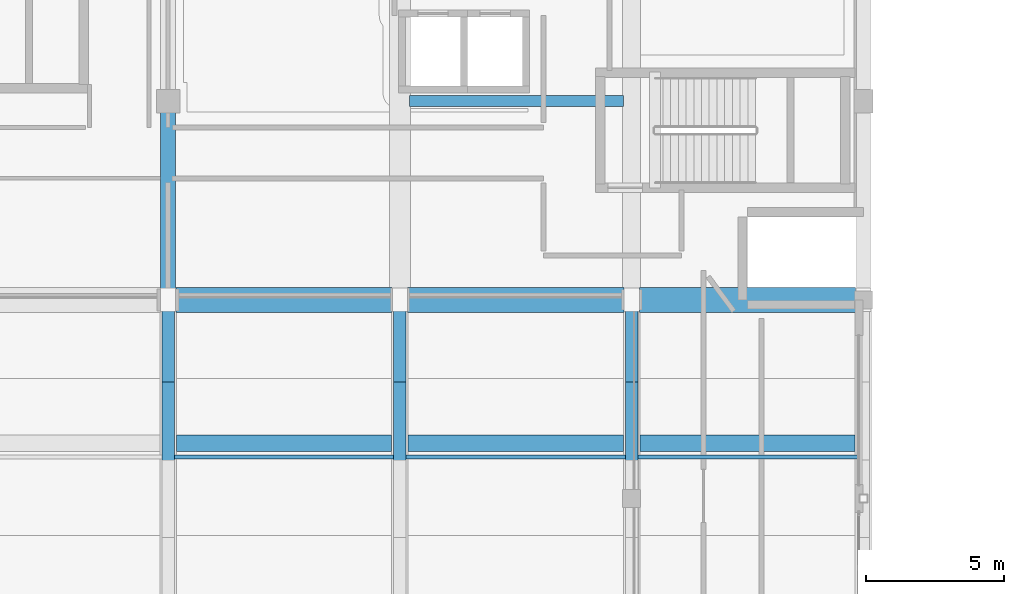
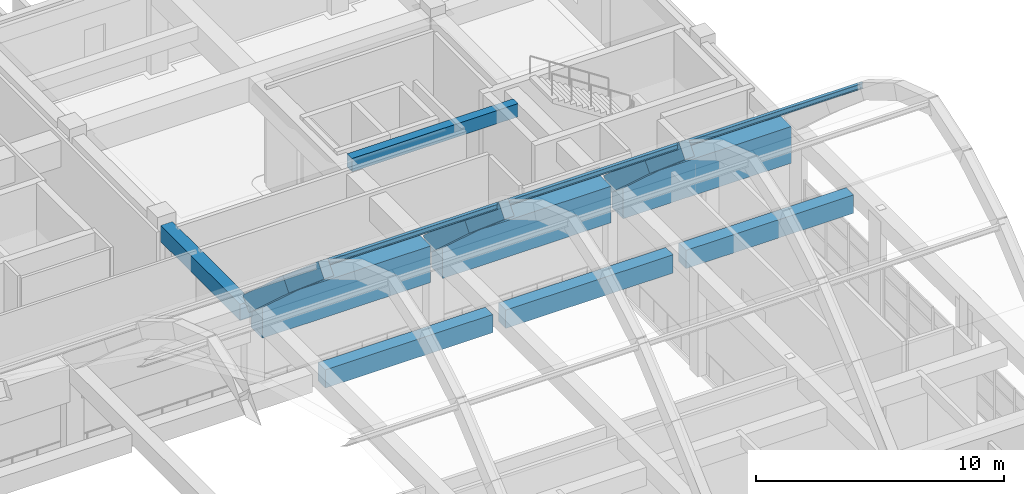
# One storey, part 54 of 103: 14 beams, 3 members.
"""IFC4 building model written with IfcOpenShell, lengths in metres."""

from ifc_helpers import new_model, si_unit, direction, frame, origin, origin_2d, place, context, subcontext, project, spatial, rectangle, i_section, extrude, material, material_profile, profile_set, type_object, element, save


model = new_model("IFC4")

# Units and contexts
model_context = context("Model", 3, precision=1e-05, world=origin(), true_north=direction((0.0, 1.0)))
body_context = subcontext(model_context, "Body", "Model", "MODEL_VIEW")
ifc_project = project(units=[si_unit("LENGTHUNIT", "METRE"), si_unit("AREAUNIT", "SQUARE_METRE"), si_unit("VOLUMEUNIT", "CUBIC_METRE"), si_unit("PLANEANGLEUNIT", "RADIAN"), si_unit("MASSUNIT", "GRAM", prefix="KILO")], contexts=[model_context])

# Site, building, storey
site_placement = place(None, origin())
site = spatial("IfcSite", under=ifc_project, at=site_placement, CompositionType="ELEMENT")
building_placement = place(site_placement, origin())
building = spatial("IfcBuilding", under=site, at=building_placement, Name="Quendrovan Civic Courthouse", CompositionType="ELEMENT")
storey_placement = place(building_placement, frame((0.0, 0.0, 15.300048828125)))
storey = spatial("IfcBuildingStorey", under=building, at=storey_placement, Name="L04", CompositionType="ELEMENT", Elevation=15.300048828125)

# Beams
ifc_material_1 = material(Name="Concrete C40/50", Category="concrete")
ifc_material_profile_1 = material_profile(ifc_material_1, rectangle(XDim=0.39990234375, YDim=0.64990234375, at=origin_2d()), Name="RC-BM-400x650")
ifc_profile_set_1 = profile_set([ifc_material_profile_1], Name="Concrete C40/50")
beam_type_1 = type_object("IfcBeamType", Name="BM-RC650", PredefinedType="JOIST", material=ifc_profile_set_1)
beam_1_placement = place(storey_placement, frame((75.955078125, 94.800048828125, 4.3349609375), z_axis=(1.0, 0.0, 0.0), x_axis=(0.0, 1.0, 0.0)))
element("IfcBeam", 1, at=beam_1_placement, inside=storey, type_object=beam_type_1, Name="L04 Secondary Joist 1000", PredefinedType="JOIST", context=body_context, shape_type="SweptSolid", body=[
    extrude(rectangle(XDim=0.39990234375, YDim=0.64990234375, at=origin_2d()), origin(), (0.0, 0.0, 1.0), 7.739990234375),
])
ifc_material_profile_2 = material_profile(ifc_material_1, rectangle(XDim=0.550048828125, YDim=0.800048828125, at=origin_2d()), Name="RC-BM-550x800")
ifc_profile_set_2 = profile_set([ifc_material_profile_2], Name="Concrete C40/50")
beam_type_2 = type_object("IfcBeamType", Name="BM-RC800", PredefinedType="BEAM", material=ifc_profile_set_2)
beam_2_placement = place(storey_placement, frame((67.199951171875, 87.97998046875, 4.260009765625), z_axis=(0.0, 1.0, 0.0), x_axis=(-1.0, 0.0, 0.0)))
element("IfcBeam", 2, at=beam_2_placement, inside=storey, type_object=beam_type_2, Name="L04 Girder Y0977", PredefinedType="BEAM", context=body_context, shape_type="SweptSolid", body=[
    extrude(rectangle(XDim=0.550048828125, YDim=0.800048828125, at=origin_2d()), origin(), (0.0, 0.0, 1.0), 6.4150390625),
])
ifc_material_profile_3 = material_profile(ifc_material_1, rectangle(XDim=0.60009765625, YDim=0.89990234375, at=origin_2d()), Name="RC-BM-600x900")
ifc_profile_set_3 = profile_set([ifc_material_profile_3], Name="Concrete C40/50")
beam_type_3 = type_object("IfcBeamType", Name="BM-RC900", PredefinedType="BEAM", material=ifc_profile_set_3)
for number, where, z_axis, x_axis, name in (
    (3, (67.5, 82.39990234375, 4.349853515625), (1.0, 0.0, 0.0), (0.0, 1.0, 0.0), "BV2 Eave Backspan Collector Beam N-B5"),
    (4, (75.89990234375, 82.39990234375, 4.349853515625), (1.0, 0.0, 0.0), (0.0, 1.0, 0.0), "BV2 Eave Backspan Collector Beam N-B6"),
    (5, (84.300048828125, 82.39990234375, 4.349853515625), (1.0, 0.0, 0.0), (0.0, 1.0, 0.0), "BV2 Eave Backspan Collector Beam N-B7"),
):
    element("IfcBeam", number, at=place(storey_placement, frame(where, z_axis=z_axis, x_axis=x_axis)), inside=storey, type_object=beam_type_3, Name=name, PredefinedType="BEAM", context=body_context, shape_type="SweptSolid", body=[
        extrude(rectangle(XDim=0.60009765625, YDim=0.89990234375, at=origin_2d()), origin(), (0.0, 0.0, 1.0), 7.800048828125),
    ])
ifc_material_2 = material(Name="Concrete C45/55", Category="concrete")
ifc_material_profile_4 = material_profile(ifc_material_2, rectangle(XDim=0.89990234375, YDim=1.800048828125, at=origin_2d()), Name="RC-TG-900x1800")
ifc_profile_set_4 = profile_set([ifc_material_profile_4], Name="Concrete C45/55")
beam_type_4 = type_object("IfcBeamType", Name="BM-TG1800", PredefinedType="BEAM", material=ifc_profile_set_4)
for number, where, z_axis, x_axis, name in (
    (6, (67.47998046875, 87.60009765625, 4.199951171875), (1.0, 0.0, 0.0), (0.0, 1.0, 0.0), "BV2 Springing Collector Girder N-5"),
    (7, (75.8798828125, 87.60009765625, 4.199951171875), (1.0, 0.0, 0.0), (0.0, 1.0, 0.0), "BV2 Springing Collector Girder N-6"),
    (8, (84.280029296875, 87.60009765625, 4.199951171875), (1.0, 0.0, 0.0), (0.0, 1.0, 0.0), "BV2 Springing Collector Girder N-7"),
):
    element("IfcBeam", number, at=place(storey_placement, frame(where, z_axis=z_axis, x_axis=x_axis)), inside=storey, type_object=beam_type_4, Name=name, PredefinedType="BEAM", context=body_context, shape_type="SweptSolid", body=[
        extrude(rectangle(XDim=0.89990234375, YDim=1.800048828125, at=origin_2d()), origin(), (0.0, 0.0, 1.0), 7.840087890625),
    ])
ifc_material_profile_5 = material_profile(ifc_material_1, rectangle(XDim=0.449951171875, YDim=0.75, at=origin_2d()), Name="RC-VRIB-450x750")
ifc_profile_set_5 = profile_set([ifc_material_profile_5], Name="Concrete C40/50")
beam_type_5 = type_object("IfcBeamType", Name="BM-VRIB750", PredefinedType="BEAM", material=ifc_profile_set_5)
beam_3_placement = place(storey_placement, frame((67.199951171875, 81.52783203125, 10.237548828125), z_axis=(0.0, 0.762419306116, -0.647083303495), x_axis=(-1.0, 0.0, 0.0)))
element("IfcBeam", 9, at=beam_3_placement, inside=storey, type_object=beam_type_5, Name="BV2 Concrete Vault Arch Rib A5-C7", PredefinedType="BEAM", context=body_context, shape_type="SweptSolid", body=[
    extrude(rectangle(XDim=0.449951171875, YDim=0.75, at=origin_2d()), origin(), (0.0, 0.0, 1.0), 3.73828125),
])
beam_4_placement = place(storey_placement, frame((67.199951171875, 84.3232421875, 7.87158203125), z_axis=(0.0, 0.740758632606, -0.671771276716), x_axis=(-1.0, 0.0, 0.0)))
element("IfcBeam", 10, at=beam_4_placement, inside=storey, type_object=beam_type_5, Name="BV2 Concrete Vault Arch Rib A5-C8", PredefinedType="BEAM", context=body_context, shape_type="SweptSolid", body=[
    extrude(rectangle(XDim=0.449951171875, YDim=0.75, at=origin_2d()), origin(), (0.0, 0.0, 1.0), 4.423583984375),
])
beam_5_placement = place(storey_placement, frame((75.60009765625, 81.52783203125, 10.237548828125), z_axis=(0.0, 0.762419306116, -0.647083303495), x_axis=(-1.0, 0.0, 0.0)))
element("IfcBeam", 11, at=beam_5_placement, inside=storey, type_object=beam_type_5, Name="BV2 Concrete Vault Arch Rib A6-C7", PredefinedType="BEAM", context=body_context, shape_type="SweptSolid", body=[
    extrude(rectangle(XDim=0.449951171875, YDim=0.75, at=origin_2d()), origin(), (0.0, 0.0, 1.0), 3.73828125),
])
beam_6_placement = place(storey_placement, frame((75.60009765625, 84.3232421875, 7.87158203125), z_axis=(0.0, 0.740758632606, -0.671771276716), x_axis=(-1.0, 0.0, 0.0)))
element("IfcBeam", 12, at=beam_6_placement, inside=storey, type_object=beam_type_5, Name="BV2 Concrete Vault Arch Rib A6-C8", PredefinedType="BEAM", context=body_context, shape_type="SweptSolid", body=[
    extrude(rectangle(XDim=0.449951171875, YDim=0.75, at=origin_2d()), origin(), (0.0, 0.0, 1.0), 4.423583984375),
])
beam_7_placement = place(storey_placement, frame((84.0, 81.52783203125, 10.237548828125), z_axis=(0.0, 0.762419306116, -0.647083303495), x_axis=(-1.0, 0.0, 0.0)))
element("IfcBeam", 13, at=beam_7_placement, inside=storey, type_object=beam_type_5, Name="BV2 Concrete Vault Arch Rib A7-C7", PredefinedType="BEAM", context=body_context, shape_type="SweptSolid", body=[
    extrude(rectangle(XDim=0.449951171875, YDim=0.75, at=origin_2d()), origin(), (0.0, 0.0, 1.0), 3.73828125),
])
beam_8_placement = place(storey_placement, frame((84.0, 84.3232421875, 7.87158203125), z_axis=(0.0, 0.740758632606, -0.671771276716), x_axis=(-1.0, 0.0, 0.0)))
element("IfcBeam", 14, at=beam_8_placement, inside=storey, type_object=beam_type_5, Name="BV2 Concrete Vault Arch Rib A7-C8", PredefinedType="BEAM", context=body_context, shape_type="SweptSolid", body=[
    extrude(rectangle(XDim=0.449951171875, YDim=0.75, at=origin_2d()), origin(), (0.0, 0.0, 1.0), 4.423583984375),
])

# Members
ifc_material_3 = material(Name="Steel ASTM A992 Grade 50", Category="steel")
ifc_material_profile_6 = material_profile(ifc_material_3, i_section(OverallWidth=0.14599609375, OverallDepth=0.258056640625, WebThickness=0.006103515625, FlangeThickness=0.009033203125, at=origin_2d()), Name="W250x33")
ifc_profile_set_6 = profile_set([ifc_material_profile_6], Name="Steel ASTM A992 Grade 50")
member_type = type_object("IfcMemberType", Name="MEM-PUR-W250", PredefinedType="PURLIN", material=ifc_profile_set_6)
member_placement = place(storey_placement, frame((67.199951171875, 81.89990234375, 10.23583984375), z_axis=(1.0, 0.0, 0.0), x_axis=(0.0, 1.0, 0.0)))
element("IfcMember", 15, at=member_placement, inside=storey, type_object=member_type, Name="BV2 Vault Longitudinal Purlin B5-3", PredefinedType="PURLIN", context=body_context, shape_type="SweptSolid", body=[
    extrude(i_section(OverallWidth=0.14599609375, OverallDepth=0.258056640625, WebThickness=0.006103515625, FlangeThickness=0.009033203125, at=origin_2d()), origin(), (0.0, 0.0, 1.0), 8.400146484375),
])
for number, where, z_axis, x_axis, name in (
    (16, (75.60009765625, 81.89990234375, 10.23583984375), (1.0, 0.0, 0.0), (0.0, 1.0, 0.0), "BV2 Vault Longitudinal Purlin B6-3"),
    (17, (84.0, 81.89990234375, 10.23583984375), (1.0, 0.0, 0.0), (0.0, 1.0, 0.0), "BV2 Vault Longitudinal Purlin B7-3"),
):
    element("IfcMember", number, at=place(storey_placement, frame(where, z_axis=z_axis, x_axis=x_axis)), inside=storey, type_object=member_type, Name=name, PredefinedType="PURLIN", context=body_context, shape_type="SweptSolid", body=[
        extrude(i_section(OverallWidth=0.14599609375, OverallDepth=0.258056640625, WebThickness=0.006103515625, FlangeThickness=0.009033203125, at=origin_2d()), origin(), (0.0, 0.0, 1.0), 8.39990234375),
    ])

save(model, "model.ifc")
